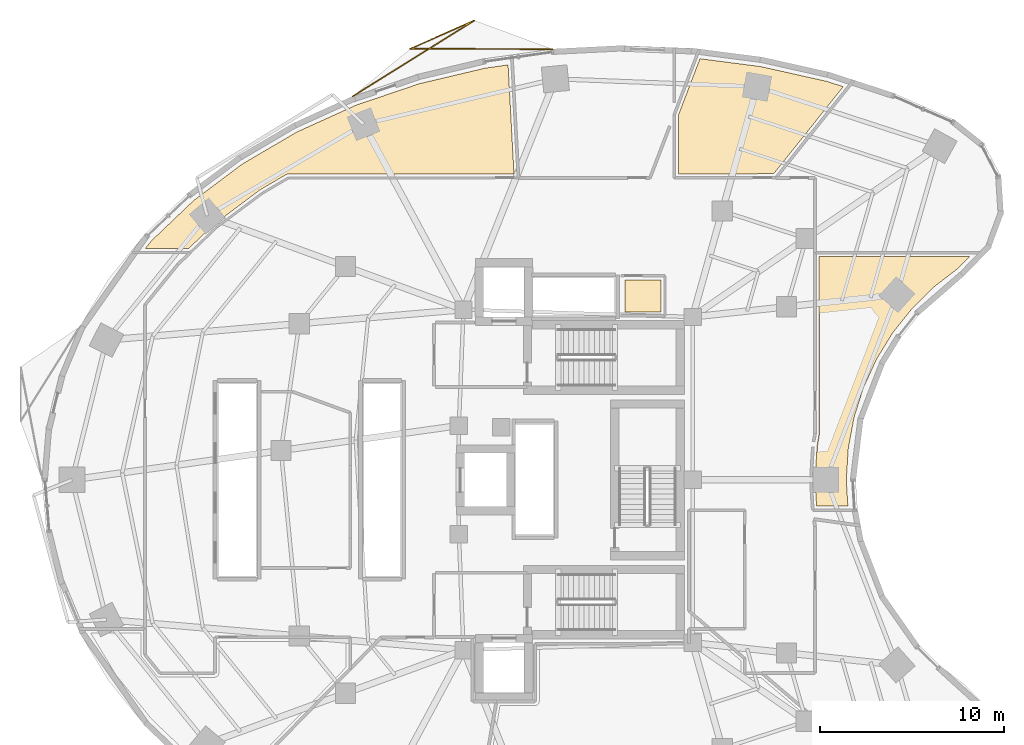
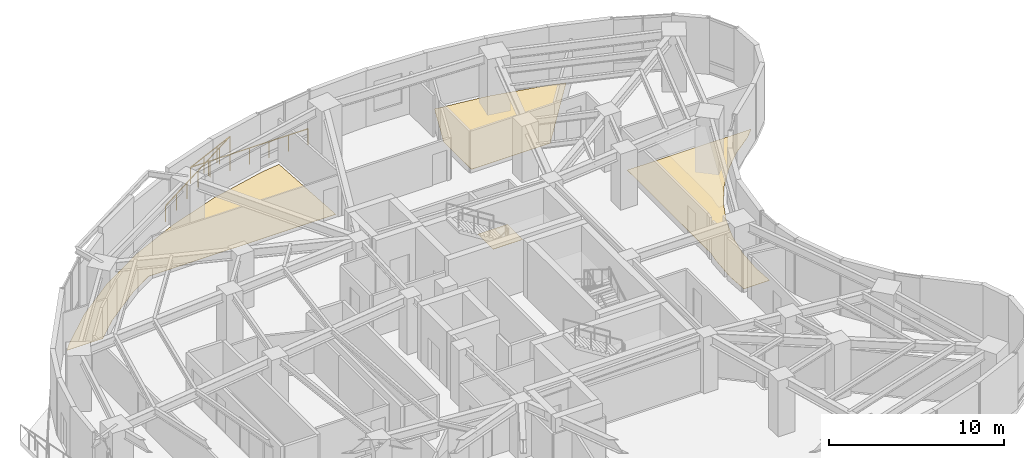
# One storey, part 14 of 14: 4 coverings, 1 railing.
"""IFC4 building model written with IfcOpenShell, lengths in metres."""

from ifc_helpers import new_model, si_unit, direction, frame, origin, origin_2d, place, context, subcontext, project, spatial, polyline, rectangle, outline, extrude, material, layer, layer_set, type_object, element, save


model = new_model("IFC4")

# Units and contexts
model_context = context("Model", 3, precision=1e-05, world=origin(), true_north=direction((0.0, 1.0)))
body_context = subcontext(model_context, "Body", "Model", "MODEL_VIEW")
ifc_project = project(units=[si_unit("LENGTHUNIT", "METRE"), si_unit("AREAUNIT", "SQUARE_METRE"), si_unit("VOLUMEUNIT", "CUBIC_METRE"), si_unit("PLANEANGLEUNIT", "RADIAN"), si_unit("MASSUNIT", "GRAM", prefix="KILO")], contexts=[model_context])

# Site, building, storey
site_placement = place(None, origin())
site = spatial("IfcSite", under=ifc_project, at=site_placement, CompositionType="ELEMENT")
building_placement = place(site_placement, origin())
building = spatial("IfcBuilding", under=site, at=building_placement, Name="Korentha Bioscience Tower", CompositionType="ELEMENT")
storey_placement = place(building_placement, frame((0.0, 0.0, 51.0)))
storey = spatial("IfcBuildingStorey", under=building, at=storey_placement, Name="L11", CompositionType="ELEMENT", Elevation=51.0)

# Covering
ifc_material_1 = material(Name="Vitrified Porcelain Tile", Category="ceramic")
ifc_layer_1 = layer(ifc_material_1, 0.014892578125, Name="Vitrified Porcelain Tile")
ifc_layer_set_1 = layer_set([ifc_layer_1], Name="Vitrified Porcelain Tile (FL-CER)")
covering_type_1 = type_object("IfcCoveringType", Name="Anti-Slip Ceramic Wet-Room Tile Flooring 15", PredefinedType="FLOORING", material=ifc_layer_set_1)
covering_1_placement = place(storey_placement, origin())
element("IfcCovering", 1, at=covering_1_placement, inside=storey, type_object=covering_type_1, Name="L11 Accessible Staff WC Floor Finish", PredefinedType="FLOORING", context=body_context, shape_type="SweptSolid", body=[
    extrude(outline(polyline([(33.8701171875, 36.1298828125), (33.8701171875, 37.8701171875), (35.830078125, 37.8701171875), (35.830078125, 36.1298828125), (33.8701171875, 36.1298828125)])), origin(), (0.0, 0.0, 1.0), 0.014892578125),
])

# Railing
ifc_material_2 = material(Name="Laminated Tempered Safety Glass", Category="glass")
railing_type = type_object("IfcRailingType", Name="Laminated Glass Balcony Guardrail 1150", PredefinedType="BALUSTRADE", material=ifc_material_2)
railing_placement = place(storey_placement, frame((29.94091796875, 50.406982421875, 0.0)))
element("IfcRailing", 2, at=railing_placement, inside=storey, type_object=railing_type, Name="L11 Balcony Guardrail 01", PredefinedType="BALUSTRADE", context=body_context, shape_type="SweptSolid", body=[
    extrude(rectangle(XDim=0.048095703125, YDim=0.048095703125, at=origin_2d()), frame((0.0, 0.0, 1.1259765625), z_axis=(-0.99999656231, 0.002622092458, 0.0), x_axis=(-0.002622092458, -0.99999656231, 0.0)), (0.0, 0.0, 1.0), 7.72802734375),
    extrude(rectangle(XDim=0.048095703125, YDim=0.048095703125, at=origin_2d()), frame((-7.72802734375, 0.020263671875, 1.1259765625), z_axis=(0.914279144248, 0.405084739769, 0.0), x_axis=(-0.405084739769, 0.914279144248, 0.0)), (0.0, 0.0, 1.0), 3.805908203125),
    extrude(rectangle(XDim=0.048095703125, YDim=0.048095703125, at=origin_2d()), frame((-4.248291015625, 1.56201171875, 1.1259765625), z_axis=(-0.848418038492, -0.529326772383, 0.0), x_axis=(0.529326772383, -0.848418038492, 0.0)), (0.0, 0.0, 1.0), 7.804931640625),
    extrude(rectangle(XDim=0.0419921875, YDim=0.0419921875, at=origin_2d()), origin(), (0.0, 0.0, 1.0), 1.101806640625),
    extrude(rectangle(XDim=0.0419921875, YDim=0.0419921875, at=origin_2d()), frame((-1.2880859375, 0.00341796875, 0.0)), (0.0, 0.0, 1.0), 1.101806640625),
    extrude(rectangle(XDim=0.0419921875, YDim=0.0419921875, at=origin_2d()), frame((-2.575927734375, 0.0068359375, 0.0)), (0.0, 0.0, 1.0), 1.101806640625),
    extrude(rectangle(XDim=0.0419921875, YDim=0.0419921875, at=origin_2d()), frame((-3.864013671875, 0.01025390625, 0.0)), (0.0, 0.0, 1.0), 1.101806640625),
    extrude(rectangle(XDim=0.0419921875, YDim=0.0419921875, at=origin_2d()), frame((-5.152099609375, 0.013427734375, 0.0)), (0.0, 0.0, 1.0), 1.101806640625),
    extrude(rectangle(XDim=0.0419921875, YDim=0.0419921875, at=origin_2d()), frame((-6.43994140625, 0.016845703125, 0.0)), (0.0, 0.0, 1.0), 1.101806640625),
    extrude(rectangle(XDim=0.0419921875, YDim=0.0419921875, at=origin_2d()), frame((-7.72802734375, 0.020263671875, 0.0)), (0.0, 0.0, 1.0), 1.101806640625),
    extrude(rectangle(XDim=0.0419921875, YDim=0.0419921875, at=origin_2d()), frame((-6.568115234375, 0.5341796875, 0.0)), (0.0, 0.0, 1.0), 1.101806640625),
    extrude(rectangle(XDim=0.0419921875, YDim=0.0419921875, at=origin_2d()), frame((-5.408203125, 1.048095703125, 0.0)), (0.0, 0.0, 1.0), 1.101806640625),
    extrude(rectangle(XDim=0.0419921875, YDim=0.0419921875, at=origin_2d()), frame((-4.248291015625, 1.56201171875, 0.0)), (0.0, 0.0, 1.0), 1.101806640625),
    extrude(rectangle(XDim=0.0419921875, YDim=0.0419921875, at=origin_2d()), frame((-5.35205078125, 0.87353515625, 0.0)), (0.0, 0.0, 1.0), 1.101806640625),
    extrude(rectangle(XDim=0.0419921875, YDim=0.0419921875, at=origin_2d()), frame((-6.45556640625, 0.184814453125, 0.0)), (0.0, 0.0, 1.0), 1.101806640625),
    extrude(rectangle(XDim=0.0419921875, YDim=0.0419921875, at=origin_2d()), frame((-7.55908203125, -0.503662109375, 0.0)), (0.0, 0.0, 1.0), 1.101806640625),
    extrude(rectangle(XDim=0.0419921875, YDim=0.0419921875, at=origin_2d()), frame((-8.662841796875, -1.192138671875, 0.0)), (0.0, 0.0, 1.0), 1.101806640625),
    extrude(rectangle(XDim=0.0419921875, YDim=0.0419921875, at=origin_2d()), frame((-9.7666015625, -1.880859375, 0.0)), (0.0, 0.0, 1.0), 1.101806640625),
    extrude(rectangle(XDim=0.0419921875, YDim=0.0419921875, at=origin_2d()), frame((-10.8701171875, -2.5693359375, 0.0)), (0.0, 0.0, 1.0), 1.101806640625),
])

# Coverings
ifc_material_3 = material(Name="Chemical-Resistant Epoxy Resin", Category="polymer")
ifc_layer_2 = layer(ifc_material_3, 0.011962890625, Name="Chemical-Resistant Epoxy Resin")
ifc_layer_set_2 = layer_set([ifc_layer_2], Name="Chemical-Resistant Epoxy Resin (FL-EPX)")
covering_type_2 = type_object("IfcCoveringType", Name="Seamless Epoxy Laboratory Flooring 12", PredefinedType="FLOORING", material=ifc_layer_set_2)
covering_2_placement = place(storey_placement, origin())
element("IfcCovering", 3, at=covering_2_placement, inside=storey, type_object=covering_type_2, Name="L11 Engineered Bio-Foundry Wet Lab 06 Floor Finish", PredefinedType="FLOORING", context=body_context, shape_type="SweptSolid", body=[
    extrude(outline(polyline([(46.01318359375, 28.720947265625), (45.90625, 26.982421875), (45.9921875, 25.572021484375), (44.288818359375, 25.572021484375), (44.2099609375, 26.861572265625), (44.2099609375, 27.138427734375), (44.321044921875, 28.889892578125), (44.429931640625, 29.529541015625), (44.429931640625, 39.1279296875), (52.593505859375, 39.1279296875), (51.98876953125, 38.5029296875), (50.677001953125, 37.49267578125), (49.494384765625, 36.330078125), (48.4345703125, 35.0009765625), (47.551025390625, 33.564453125), (46.83740234375, 32.00634765625), (46.325927734375, 30.392333984375), (46.01318359375, 28.720947265625)])), origin(), (0.0, 0.0, 1.0), 0.011962890625),
])
covering_3_placement = place(storey_placement, origin())
element("IfcCovering", 4, at=covering_3_placement, inside=storey, type_object=covering_type_2, Name="L11 Microfluidics Biochip Cleanroom 08 Floor Finish", PredefinedType="FLOORING", context=body_context, shape_type="SweptSolid", body=[
    extrude(outline(polyline([(45.73828125, 48.3662109375), (41.96240234375, 43.635986328125), (36.77197265625, 43.630126953125), (36.77197265625, 46.7998046875), (37.950927734375, 49.88720703125), (41.2451171875, 49.461181640625), (44.857177734375, 48.65283203125), (45.73828125, 48.3662109375)])), origin(), (0.0, 0.0, 1.0), 0.011962890625),
])
covering_4_placement = place(storey_placement, origin())
element("IfcCovering", 5, at=covering_4_placement, inside=storey, type_object=covering_type_2, Name="L11 Visiting Faculty Study Office 10 Floor Finish", PredefinedType="FLOORING", context=body_context, shape_type="SweptSolid", body=[
    extrude(outline(polyline([(8.15087890625, 40.001708984375), (10.451904296875, 42.1962890625), (13.09619140625, 44.173828125), (16.0458984375, 45.90478515625), (19.2587890625, 47.36279296875), (22.68701171875, 48.525390625), (26.28173828125, 49.375), (27.52392578125, 49.550537109375), (27.844482421875, 43.6298828125), (15.5537109375, 43.626953125), (15.474365234375, 43.598388671875), (14.0380859375, 42.7548828125), (11.5625, 40.904052734375), (10.16357421875, 39.572021484375), (7.802978515625, 39.572021484375), (8.15087890625, 40.001708984375)])), origin(), (0.0, 0.0, 1.0), 0.011962890625),
])

save(model, "model.ifc")
